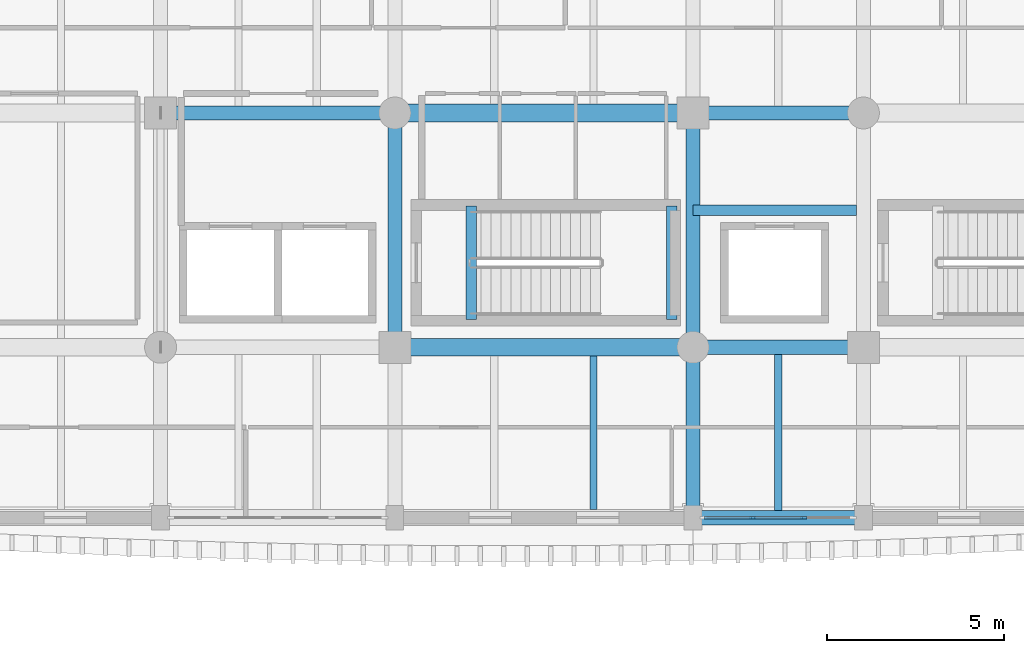
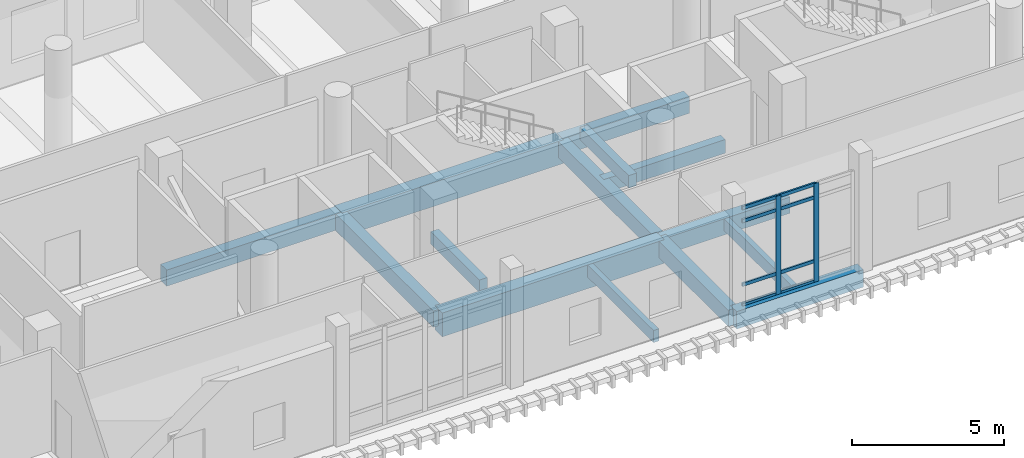
# One storey, part 26 of 101: 14 beams, 10 members, 1 element without a shape of its own.
"""IFC4 building model written with IfcOpenShell, lengths in metres."""

from ifc_helpers import new_model, si_unit, direction, frame, origin, origin_2d, place, context, subcontext, project, spatial, rectangle, extrude, material, material_profile, profile_set, type_object, element, aggregate, save


model = new_model("IFC4")

# Units and contexts
model_context = context("Model", 3, precision=1e-05, world=origin(), true_north=direction((0.0, 1.0)))
body_context = subcontext(model_context, "Body", "Model", "MODEL_VIEW")
ifc_project = project(units=[si_unit("LENGTHUNIT", "METRE"), si_unit("AREAUNIT", "SQUARE_METRE"), si_unit("VOLUMEUNIT", "CUBIC_METRE"), si_unit("PLANEANGLEUNIT", "RADIAN"), si_unit("MASSUNIT", "GRAM", prefix="KILO")], contexts=[model_context])

# Site, building, storey
site_placement = place(None, origin())
site = spatial("IfcSite", under=ifc_project, at=site_placement, CompositionType="ELEMENT")
building_placement = place(site_placement, origin())
building = spatial("IfcBuilding", under=site, at=building_placement, Name="Dornvale Research Institute", CompositionType="ELEMENT")
storey_placement = place(building_placement, frame((0.0, 0.0, 10.199951171875)))
storey = spatial("IfcBuildingStorey", under=building, at=storey_placement, Name="L02", CompositionType="ELEMENT", Elevation=10.199951171875)

# Beams
ifc_material_1 = material(Name="Concrete f'c 45 MPa (C35/45)", Category="concrete")
ifc_material_profile_1 = material_profile(ifc_material_1, rectangle(XDim=0.300048828125, YDim=0.5, at=origin_2d()), Name="RC 300x500")
ifc_profile_set_1 = profile_set([ifc_material_profile_1], Name="Concrete f'c 45 MPa (C35/45)")
beam_type_1 = type_object("IfcBeamType", Name="Beam_RC300x500_Trim", PredefinedType="BEAM", material=ifc_profile_set_1)
for number, where, z_axis, x_axis, name in (
    (1, (21.949951171875, 104.580078125, -0.25), (0.0, 1.0, 0.0), (-1.0, 0.0, 0.0), "L02 ST-1 stair landing trimmer beam #3"),
    (2, (27.60009765625, 104.580078125, 1.949951171875), (0.0, 1.0, 0.0), (-1.0, 0.0, 0.0), "L02 ST-1 half-landing support beam #16"),
):
    element("IfcBeam", number, at=place(storey_placement, frame(where, z_axis=z_axis, x_axis=x_axis)), inside=storey, type_object=beam_type_1, Name=name, PredefinedType="BEAM", context=body_context, shape_type="SweptSolid", body=[
        extrude(rectangle(XDim=0.300048828125, YDim=0.5, at=origin_2d()), origin(), (0.0, 0.0, 1.0), 3.199951171875),
    ])
ifc_material_2 = material(Name="Concrete f'c 45 MPa (C35/45)", Category="concrete")
ifc_material_profile_2 = material_profile(ifc_material_2, rectangle(XDim=0.39990234375, YDim=0.64990234375, at=origin_2d()), Name="RC 400x650")
ifc_profile_set_2 = profile_set([ifc_material_profile_2], Name="Concrete f'c 45 MPa (C35/45)")
beam_type_2 = type_object("IfcBeamType", Name="Beam_RC400x650_Floor", PredefinedType="BEAM", material=ifc_profile_set_2)
beam_1_placement = place(storey_placement, frame((28.199951171875, 103.800048828125, -0.324951171875), z_axis=(1.0, 0.0, 0.0), x_axis=(0.0, 1.0, 0.0)))
element("IfcBeam", 3, at=beam_1_placement, inside=storey, type_object=beam_type_2, Name="L02 primary girder #579", PredefinedType="BEAM", context=body_context, shape_type="SweptSolid", body=[
    extrude(rectangle(XDim=0.39990234375, YDim=0.64990234375, at=origin_2d()), origin(), (0.0, 0.0, 1.0), 4.800048828125),
])
beam_2_placement = place(storey_placement, frame((13.199951171875, 110.39990234375, -0.324951171875), z_axis=(1.0, 0.0, 0.0), x_axis=(0.0, 1.0, 0.0)))
element("IfcBeam", 4, at=beam_2_placement, inside=storey, type_object=beam_type_2, Name="L02 primary girder #584", PredefinedType="BEAM", context=body_context, shape_type="SweptSolid", body=[
    extrude(rectangle(XDim=0.39990234375, YDim=0.64990234375, at=origin_2d()), origin(), (0.0, 0.0, 1.0), 6.60009765625),
])
beam_3_placement = place(storey_placement, frame((28.199951171875, 110.39990234375, -0.324951171875), z_axis=(1.0, 0.0, 0.0), x_axis=(0.0, 1.0, 0.0)))
element("IfcBeam", 5, at=beam_3_placement, inside=storey, type_object=beam_type_2, Name="L02 primary girder #586", PredefinedType="BEAM", context=body_context, shape_type="SweptSolid", body=[
    extrude(rectangle(XDim=0.39990234375, YDim=0.64990234375, at=origin_2d()), origin(), (0.0, 0.0, 1.0), 4.800048828125),
])
beam_4_placement = place(storey_placement, frame((19.800048828125, 103.800048828125, -0.324951171875), z_axis=(0.0, 1.0, 0.0), x_axis=(-1.0, 0.0, 0.0)))
element("IfcBeam", 6, at=beam_4_placement, inside=storey, type_object=beam_type_2, Name="L02 transverse girder #616", PredefinedType="BEAM", context=body_context, shape_type="SweptSolid", body=[
    extrude(rectangle(XDim=0.39990234375, YDim=0.64990234375, at=origin_2d()), origin(), (0.0, 0.0, 1.0), 6.599853515625),
])
beam_5_placement = place(storey_placement, frame((28.199951171875, 99.0, -0.324951171875), z_axis=(0.0, 1.0, 0.0), x_axis=(-1.0, 0.0, 0.0)))
element("IfcBeam", 7, at=beam_5_placement, inside=storey, type_object=beam_type_2, Name="L02 transverse girder #619", PredefinedType="BEAM", context=body_context, shape_type="SweptSolid", body=[
    extrude(rectangle(XDim=0.39990234375, YDim=0.64990234375, at=origin_2d()), origin(), (0.0, 0.0, 1.0), 4.800048828125),
])
beam_6_placement = place(storey_placement, frame((28.199951171875, 103.800048828125, -0.324951171875), z_axis=(0.0, 1.0, 0.0), x_axis=(-1.0, 0.0, 0.0)))
element("IfcBeam", 8, at=beam_6_placement, inside=storey, type_object=beam_type_2, Name="L02 transverse girder #620", PredefinedType="BEAM", context=body_context, shape_type="SweptSolid", body=[
    extrude(rectangle(XDim=0.39990234375, YDim=0.64990234375, at=origin_2d()), origin(), (0.0, 0.0, 1.0), 6.599853515625),
])
ifc_material_3 = material(Name="Concrete f'c 45 MPa (C35/45)", Category="concrete")
ifc_material_profile_3 = material_profile(ifc_material_3, rectangle(XDim=0.5, YDim=0.949951171875, at=origin_2d()), Name="RC 500x950")
ifc_profile_set_3 = profile_set([ifc_material_profile_3], Name="Concrete f'c 45 MPa (C35/45)")
beam_type_3 = type_object("IfcBeamType", Name="Beam_RC500x950_Girder", PredefinedType="BEAM", material=ifc_profile_set_3)
for number, where, z_axis, x_axis, name in (
    (9, (19.800048828125, 103.800048828125, -0.474853515625), (1.0, 0.0, 0.0), (0.0, 1.0, 0.0), "L02 primary girder #578"),
    (10, (19.800048828125, 110.39990234375, -0.474853515625), (1.0, 0.0, 0.0), (0.0, 1.0, 0.0), "L02 primary girder #585"),
):
    element("IfcBeam", number, at=place(storey_placement, frame(where, z_axis=z_axis, x_axis=x_axis)), inside=storey, type_object=beam_type_3, Name=name, PredefinedType="BEAM", context=body_context, shape_type="SweptSolid", body=[
        extrude(rectangle(XDim=0.5, YDim=0.949951171875, at=origin_2d()), origin(), (0.0, 0.0, 1.0), 8.39990234375),
    ])
ifc_material_4 = material(Name="Concrete f'c 45 MPa (C35/45)", Category="concrete")
ifc_material_profile_4 = material_profile(ifc_material_4, rectangle(XDim=0.199951171875, YDim=0.485107421875, at=origin_2d()), Name="RC 200x485")
ifc_profile_set_4 = profile_set([ifc_material_profile_4], Name="Concrete f'c 45 MPa (C35/45)")
beam_type_4 = type_object("IfcBeamType", Name="Joist_RC200x485_Rib", PredefinedType="JOIST", material=ifc_profile_set_4)
beam_7_placement = place(storey_placement, frame((25.39990234375, 99.22509765625, -0.242431640625), z_axis=(0.0, 1.0, 0.0), x_axis=(-1.0, 0.0, 0.0)))
element("IfcBeam", 11, at=beam_7_placement, inside=storey, type_object=beam_type_4, Name="L02 laboratory waffle joist #296", PredefinedType="JOIST", context=body_context, shape_type="SweptSolid", body=[
    extrude(rectangle(XDim=0.199951171875, YDim=0.485107421875, at=origin_2d()), origin(), (0.0, 0.0, 1.0), 4.324951171875),
])
beam_8_placement = place(storey_placement, frame((30.60009765625, 99.199951171875, -0.242431640625), z_axis=(0.0, 1.0, 0.0), x_axis=(-1.0, 0.0, 0.0)))
element("IfcBeam", 12, at=beam_8_placement, inside=storey, type_object=beam_type_4, Name="L02 laboratory waffle joist #301", PredefinedType="JOIST", context=body_context, shape_type="SweptSolid", body=[
    extrude(rectangle(XDim=0.199951171875, YDim=0.485107421875, at=origin_2d()), origin(), (0.0, 0.0, 1.0), 4.400146484375),
])
ifc_material_5 = material(Name="Concrete f'c 45 MPa (C35/45)", Category="concrete")
ifc_material_profile_5 = material_profile(ifc_material_5, rectangle(XDim=0.300048828125, YDim=0.550048828125, at=origin_2d()), Name="RC 300x550")
ifc_profile_set_5 = profile_set([ifc_material_profile_5], Name="Concrete f'c 45 MPa (C35/45)")
beam_type_5 = type_object("IfcBeamType", Name="Lintel_RC300x550_Core", PredefinedType="LINTEL", material=ifc_profile_set_5)
beam_9_placement = place(storey_placement, frame((28.199951171875, 107.659912109375, -0.27490234375), z_axis=(1.0, 0.0, 0.0), x_axis=(0.0, 1.0, 0.0)))
element("IfcBeam", 13, at=beam_9_placement, inside=storey, type_object=beam_type_5, Name="L02 core coupling lintel #2028", PredefinedType="LINTEL", context=body_context, shape_type="SweptSolid", body=[
    extrude(rectangle(XDim=0.300048828125, YDim=0.550048828125, at=origin_2d()), origin(), (0.0, 0.0, 1.0), 4.60009765625),
])

# Curtain wall, members
ifc_material_6 = material(Name="Low-E Argon Double Insulating Glazing Unit", Category="glass")
curtain_wall_type = type_object("IfcCurtainWallType", Name="UnitisedCurtainWall_V5_4300x3950", PredefinedType="USERDEFINED", material=ifc_material_6)
curtain_wall_placement = place(storey_placement, origin())
curtain_wall = element("IfcCurtainWall", 14, at=curtain_wall_placement, inside=storey, type_object=curtain_wall_type, Name="L02 V5 unitised curtain wall CW-25 #145", ObjectType="UNITISED CURTAIN WALL", PredefinedType="USERDEFINED")
ifc_material_7 = material(Name="Anodized Aluminum AA 6063-T6 Thermally Broken Frame", Category="aluminium")
ifc_material_profile_6 = material_profile(ifc_material_7, rectangle(XDim=0.06494140625, YDim=0.179931640625, at=origin_2d()), Name="ALU MULLION 65x180")
ifc_profile_set_6 = profile_set([ifc_material_profile_6], Name="Anodized Aluminum AA 6063-T6 Thermally Broken Frame")
member_type_1 = type_object("IfcMemberType", Name="Mullion_CW_65x180", PredefinedType="MULLION", material=ifc_profile_set_6)
member_1_placement = place(storey_placement, frame((31.316650390625, 99.0, 0.0), z_axis=(0.0, 0.0, 1.0), x_axis=(0.0, -1.0, 0.0)))
member_1 = element("IfcMember", 15, at=member_1_placement, type_object=member_type_1, Name="CW-25 mullion 2", PredefinedType="MULLION", context=body_context, shape_type="SweptSolid", body=[
    extrude(rectangle(XDim=0.06494140625, YDim=0.179931640625, at=origin_2d()), origin(), (0.0, 0.0, 1.0), 3.949951171875),
])
member_2_placement = place(storey_placement, frame((29.88330078125, 99.0, 0.0), z_axis=(0.0, 0.0, 1.0), x_axis=(0.0, -1.0, 0.0)))
member_2 = element("IfcMember", 16, at=member_2_placement, type_object=member_type_1, Name="CW-25 mullion 3", PredefinedType="MULLION", context=body_context, shape_type="SweptSolid", body=[
    extrude(rectangle(XDim=0.06494140625, YDim=0.179931640625, at=origin_2d()), origin(), (0.0, 0.0, 1.0), 3.949951171875),
])

# Beam
ifc_material_8 = material(Name="Concrete f'c 45 MPa (C35/45)", Category="concrete")
ifc_material_profile_7 = material_profile(ifc_material_8, rectangle(XDim=0.39990234375, YDim=0.699951171875, at=origin_2d()), Name="RC 400x700")
ifc_profile_set_7 = profile_set([ifc_material_profile_7], Name="Concrete f'c 45 MPa (C35/45)")
beam_type_6 = type_object("IfcBeamType", Name="Spandrel_RC400x700_Ext", PredefinedType="SPANDREL", material=ifc_profile_set_7)
beam_10_placement = place(storey_placement, frame((28.199951171875, 99.0, -0.349853515625), z_axis=(1.0, 0.0, 0.0), x_axis=(0.0, 1.0, 0.0)))
element("IfcBeam", 17, at=beam_10_placement, inside=storey, type_object=beam_type_6, Name="L02 perimeter spandrel #572", PredefinedType="SPANDREL", context=body_context, shape_type="SweptSolid", body=[
    extrude(rectangle(XDim=0.39990234375, YDim=0.699951171875, at=origin_2d()), origin(), (0.0, 0.0, 1.0), 4.800048828125),
])

# Member
ifc_material_9 = material(Name="Anodized Aluminum AA 6063-T6 Thermally Broken Frame", Category="aluminium")
ifc_material_profile_8 = material_profile(ifc_material_9, rectangle(XDim=0.06494140625, YDim=0.135009765625, at=origin_2d()), Name="ALU TRANSOM 65x135")
ifc_profile_set_8 = profile_set([ifc_material_profile_8], Name="Anodized Aluminum AA 6063-T6 Thermally Broken Frame")
member_type_2 = type_object("IfcMemberType", Name="Transom_CW_65x135", PredefinedType="USERDEFINED", material=ifc_profile_set_8)
member_3_placement = place(storey_placement, frame((31.2841796875, 99.0, 0.032470703125), z_axis=(-1.0, 0.0, 0.0), x_axis=(0.0, -1.0, 0.0)))
member_3 = element("IfcMember", 18, at=member_3_placement, type_object=member_type_2, Name="CW-25 transom 2.1", ObjectType="TRANSOM", PredefinedType="USERDEFINED", context=body_context, shape_type="SweptSolid", body=[
    extrude(rectangle(XDim=0.06494140625, YDim=0.135009765625, at=origin_2d()), origin(), (0.0, 0.0, 1.0), 1.368408203125),
])

member_4_placement = place(storey_placement, frame((31.2841796875, 99.0, 0.85009765625), z_axis=(-1.0, 0.0, 0.0), x_axis=(0.0, -1.0, 0.0)))
member_4 = element("IfcMember", 19, at=member_4_placement, type_object=member_type_2, Name="CW-25 transom 2.2", ObjectType="TRANSOM", PredefinedType="USERDEFINED", context=body_context, shape_type="SweptSolid", body=[
    extrude(rectangle(XDim=0.06494140625, YDim=0.135009765625, at=origin_2d()), origin(), (0.0, 0.0, 1.0), 1.368408203125),
])

member_5_placement = place(storey_placement, frame((31.2841796875, 99.0, 3.400146484375), z_axis=(-1.0, 0.0, 0.0), x_axis=(0.0, -1.0, 0.0)))
member_5 = element("IfcMember", 20, at=member_5_placement, type_object=member_type_2, Name="CW-25 transom 2.3", ObjectType="TRANSOM", PredefinedType="USERDEFINED", context=body_context, shape_type="SweptSolid", body=[
    extrude(rectangle(XDim=0.06494140625, YDim=0.135009765625, at=origin_2d()), origin(), (0.0, 0.0, 1.0), 1.368408203125),
])

member_6_placement = place(storey_placement, frame((31.2841796875, 99.0, 3.91748046875), z_axis=(-1.0, 0.0, 0.0), x_axis=(0.0, -1.0, 0.0)))
member_6 = element("IfcMember", 21, at=member_6_placement, type_object=member_type_2, Name="CW-25 transom 2.4", ObjectType="TRANSOM", PredefinedType="USERDEFINED", context=body_context, shape_type="SweptSolid", body=[
    extrude(rectangle(XDim=0.06494140625, YDim=0.135009765625, at=origin_2d()), origin(), (0.0, 0.0, 1.0), 1.368408203125),
])

member_7_placement = place(storey_placement, frame((29.850830078125, 99.0, 0.032470703125), z_axis=(-1.0, 0.0, 0.0), x_axis=(0.0, -1.0, 0.0)))
member_7 = element("IfcMember", 22, at=member_7_placement, type_object=member_type_2, Name="CW-25 transom 3.1", ObjectType="TRANSOM", PredefinedType="USERDEFINED", context=body_context, shape_type="SweptSolid", body=[
    extrude(rectangle(XDim=0.06494140625, YDim=0.135009765625, at=origin_2d()), origin(), (0.0, 0.0, 1.0), 1.3359375),
])

member_8_placement = place(storey_placement, frame((29.850830078125, 99.0, 0.85009765625), z_axis=(-1.0, 0.0, 0.0), x_axis=(0.0, -1.0, 0.0)))
member_8 = element("IfcMember", 23, at=member_8_placement, type_object=member_type_2, Name="CW-25 transom 3.2", ObjectType="TRANSOM", PredefinedType="USERDEFINED", context=body_context, shape_type="SweptSolid", body=[
    extrude(rectangle(XDim=0.06494140625, YDim=0.135009765625, at=origin_2d()), origin(), (0.0, 0.0, 1.0), 1.3359375),
])

member_9_placement = place(storey_placement, frame((29.850830078125, 99.0, 3.400146484375), z_axis=(-1.0, 0.0, 0.0), x_axis=(0.0, -1.0, 0.0)))
member_9 = element("IfcMember", 24, at=member_9_placement, type_object=member_type_2, Name="CW-25 transom 3.3", ObjectType="TRANSOM", PredefinedType="USERDEFINED", context=body_context, shape_type="SweptSolid", body=[
    extrude(rectangle(XDim=0.06494140625, YDim=0.135009765625, at=origin_2d()), origin(), (0.0, 0.0, 1.0), 1.3359375),
])

member_10_placement = place(storey_placement, frame((29.850830078125, 99.0, 3.91748046875), z_axis=(-1.0, 0.0, 0.0), x_axis=(0.0, -1.0, 0.0)))
member_10 = element("IfcMember", 25, at=member_10_placement, type_object=member_type_2, Name="CW-25 transom 3.4", ObjectType="TRANSOM", PredefinedType="USERDEFINED", context=body_context, shape_type="SweptSolid", body=[
    extrude(rectangle(XDim=0.06494140625, YDim=0.135009765625, at=origin_2d()), origin(), (0.0, 0.0, 1.0), 1.3359375),
])

aggregate(curtain_wall, [member_1, member_2, member_3, member_4, member_5, member_6, member_7, member_8, member_9, member_10])

save(model, "model.ifc")
